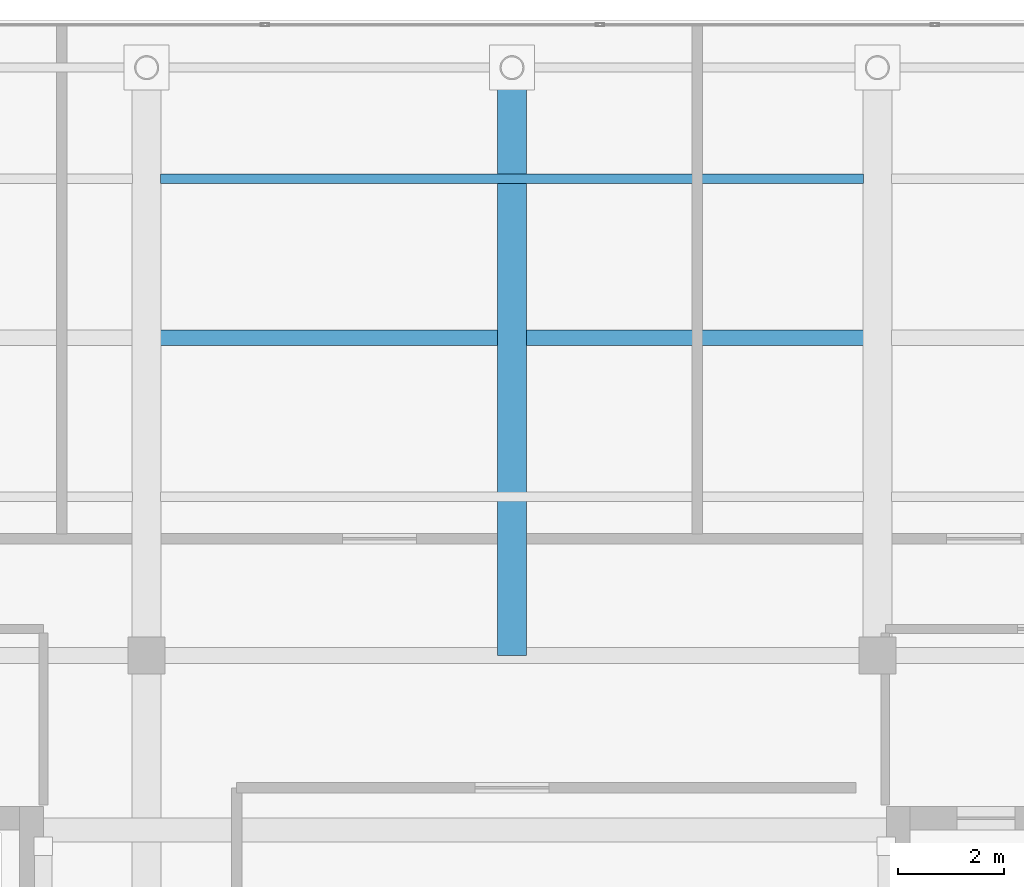
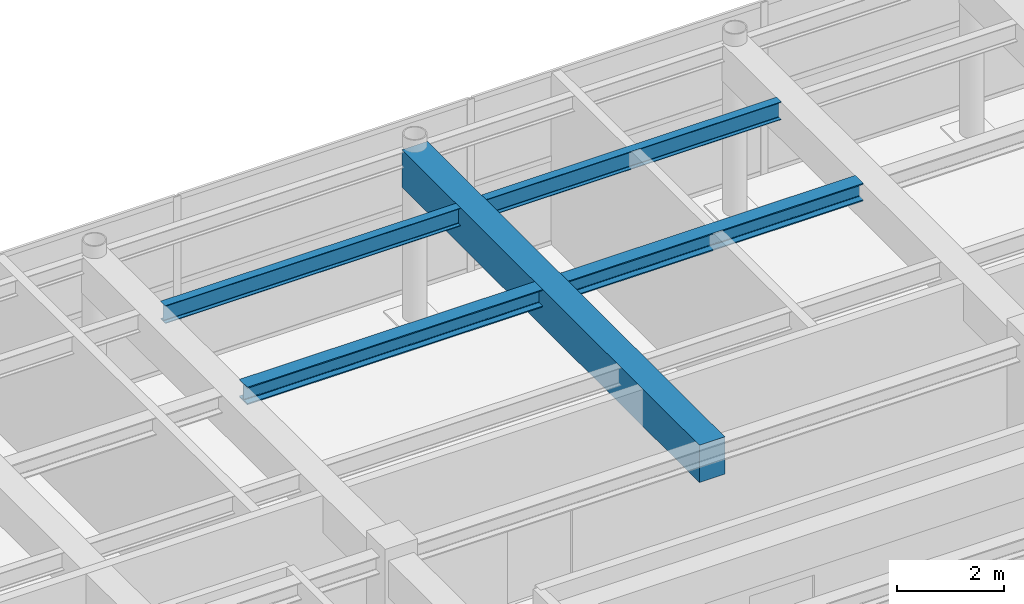
# One storey, part 23 of 32: 3 beams.
"""IFC4 building model written with IfcOpenShell, lengths in metres."""

import ifcopenshell
import ifcopenshell.guid

model = None  # the IFC model being written
_history = None  # IfcOwnerHistory: only IFC2X3 demands one
_inside = {}  # id of a spatial element -> (the spatial element, [elements in it])
_under = {}  # id of a project, library or spatial element -> (it, [spatial elements below it])
_declared = {}  # id of a project -> (the project, [libraries it declares])
_typed = {}  # id of a type object -> (the type object, [elements of that type])
_made_of = {}  # id of a material, layer set ... -> (it, [elements and type objects made of it])


def new_model(schema):
    """Start an empty IFC model of exactly this schema.

    Asked for "IFC4X3", IfcOpenShell would pick the latest addendum, in which some entities
    have other attributes; the version numbers below select the first issue.
    IFC2X3 requires an IfcOwnerHistory on every rooted entity: one is made here for all.
    """
    global model, _history
    if schema == "IFC4X3":
        model = ifcopenshell.file(schema_version=(4, 3, 0, 0))
    else:
        model = ifcopenshell.file(schema=schema)
    _inside.clear()
    _under.clear()
    _declared.clear()
    _typed.clear()
    _made_of.clear()
    _history = None
    if model.schema == "IFC2X3":
        org = make("IfcOrganization", Name="unknown")
        user = make(
            "IfcPersonAndOrganization",
            ThePerson=make("IfcPerson", FamilyName="unknown"),
            TheOrganization=org,
        )
        app = make(
            "IfcApplication",
            ApplicationDeveloper=org,
            Version="unknown",
            ApplicationFullName="unknown",
            ApplicationIdentifier="unknown",
        )
        _history = make(
            "IfcOwnerHistory",
            OwningUser=user,
            OwningApplication=app,
            ChangeAction="ADDED",
            CreationDate=0,
        )
    return model


def make(cls, **values):
    """One entity of the class cls with the attributes given. An attribute that is None is left unset."""
    return model.create_entity(
        cls, **{name: value for name, value in values.items() if value is not None}
    )


def rooted(cls, **values):
    """An entity with a GlobalId (a new one), such as an element, a storey or a relation."""
    return make(cls, GlobalId=ifcopenshell.guid.new(), OwnerHistory=_history, **values)


def si_unit(unit_type, name, prefix=None):
    """IfcSIUnit, for example si_unit("LENGTHUNIT", "METRE", prefix="MILLI")."""
    return make("IfcSIUnit", UnitType=unit_type, Prefix=prefix, Name=name)


def assignment(units):
    """IfcUnitAssignment: the units of a project."""
    return None if units is None else make("IfcUnitAssignment", Units=units)


def point(xyz):
    """IfcCartesianPoint."""
    return None if xyz is None else make("IfcCartesianPoint", Coordinates=xyz)


def direction(xyz):
    """IfcDirection."""
    return None if xyz is None else make("IfcDirection", DirectionRatios=xyz)


def frame(location, z_axis=None, x_axis=None):
    """IfcAxis2Placement3D, a coordinate frame: its origin and axes. An axis left out is left unset."""
    return make(
        "IfcAxis2Placement3D",
        Location=point(location),
        Axis=direction(z_axis),
        RefDirection=direction(x_axis),
    )


def frame_2d(location, x_axis=None):
    """IfcAxis2Placement2D, a coordinate frame in the plane: its origin and x axis."""
    return make(
        "IfcAxis2Placement2D", Location=point(location), RefDirection=direction(x_axis)
    )


def origin():
    """The frame at (0, 0, 0) with its axes left unset."""
    return frame((0.0, 0.0, 0.0))


def origin_2d():
    """The frame at (0, 0) in the plane with its x axis left unset."""
    return frame_2d((0.0, 0.0))


def place(relative_to, where):
    """IfcLocalPlacement: puts the frame where relative to a parent placement (None: the world)."""
    return make(
        "IfcLocalPlacement", PlacementRelTo=relative_to, RelativePlacement=where
    )


def context(
    kind, dimensions, precision=None, world=None, true_north=None, identifier=None
):
    """IfcGeometricRepresentationContext, for example the 3D "Model" context."""
    return make(
        "IfcGeometricRepresentationContext",
        ContextIdentifier=identifier,
        ContextType=kind,
        CoordinateSpaceDimension=dimensions,
        Precision=precision,
        WorldCoordinateSystem=world,
        TrueNorth=true_north,
    )


def subcontext(parent, identifier, kind, view, scale=None):
    """IfcGeometricRepresentationSubContext, for example "Body" below "Model"."""
    return make(
        "IfcGeometricRepresentationSubContext",
        ContextIdentifier=identifier,
        ContextType=kind,
        ParentContext=parent,
        TargetScale=scale,
        TargetView=view,
    )


def project(units=None, contexts=None):
    """IfcProject with its units and contexts."""
    return rooted(
        "IfcProject",
        Name="project",
        RepresentationContexts=contexts,
        UnitsInContext=assignment(units),
    )


def spatial(cls, under=None, at=None, **own):
    """A site, building, storey or space (cls), placed at a placement, below another one or the project."""
    s = rooted(cls, ObjectPlacement=at, **own)
    if under is not None:
        _under.setdefault(under.id(), (under, []))[1].append(s)
    return s


def profile(cls, at=None, kind="AREA", **sizes):
    """A parametric profile (cls). Its sizes go by their IFC names, for example OverallWidth=200.0."""
    return make(cls, ProfileType=kind, Position=at, **sizes)


def rectangle(**sizes):
    """IfcRectangleProfileDef."""
    return profile("IfcRectangleProfileDef", **sizes)


def i_section(**sizes):
    """IfcIShapeProfileDef."""
    return profile("IfcIShapeProfileDef", **sizes)


def extrude(swept, where, along, depth):
    """IfcExtrudedAreaSolid: the profile swept, set in the frame where, extruded along a direction by depth."""
    return make(
        "IfcExtrudedAreaSolid",
        SweptArea=swept,
        Position=where,
        ExtrudedDirection=direction(along),
        Depth=depth,
    )


def shape(context_of_items, identifier, shape_type, items):
    """IfcShapeRepresentation: the items that make up one representation, for example the "Body"."""
    return make(
        "IfcShapeRepresentation",
        ContextOfItems=context_of_items,
        RepresentationIdentifier=identifier,
        RepresentationType=shape_type,
        Items=items,
    )


def source(mapping_origin, context_of_items, identifier, shape_type, items):
    """IfcRepresentationMap: a shape defined once, which mapped items show again and again."""
    return make(
        "IfcRepresentationMap",
        MappingOrigin=mapping_origin,
        MappedRepresentation=shape(context_of_items, identifier, shape_type, items),
    )


def transform(
    local_origin,
    x_axis=None,
    y_axis=None,
    z_axis=None,
    scale=None,
    scale2=None,
    scale3=None,
    uniform=True,
):
    """IfcCartesianTransformationOperator3D, or its non-uniform kind. x_axis, y_axis, z_axis: its Axis1, 2, 3."""
    if uniform:
        return make(
            "IfcCartesianTransformationOperator3D",
            Axis1=direction(x_axis),
            Axis2=direction(y_axis),
            LocalOrigin=point(local_origin),
            Scale=scale,
            Axis3=direction(z_axis),
        )
    return make(
        "IfcCartesianTransformationOperator3DnonUniform",
        Axis1=direction(x_axis),
        Axis2=direction(y_axis),
        LocalOrigin=point(local_origin),
        Scale=scale,
        Axis3=direction(z_axis),
        Scale2=scale2,
        Scale3=scale3,
    )


def mapped(mapping_source, mapping_target):
    """IfcMappedItem: shows the shape of a source again, moved by a transform."""
    return make(
        "IfcMappedItem", MappingSource=mapping_source, MappingTarget=mapping_target
    )


def material(Name=None, Category=None):
    """IfcMaterial."""
    return make("IfcMaterial", Name=Name, Category=Category)


def material_profile(
    of_material, cross_section, Name=None, Category=None, Priority=None
):
    """IfcMaterialProfile: a cross section and its material."""
    return make(
        "IfcMaterialProfile",
        Name=Name,
        Material=of_material,
        Profile=cross_section,
        Priority=Priority,
        Category=Category,
    )


def profile_set(profiles, Name=None, composite=None):
    """IfcMaterialProfileSet."""
    return make(
        "IfcMaterialProfileSet",
        Name=Name,
        MaterialProfiles=profiles,
        CompositeProfile=composite,
    )


def made_of(thing, what):
    """Note that an element or type object is made of a material, layer set ...; save() writes the relation."""
    if what is not None:
        _made_of.setdefault(what.id(), (what, []))[1].append(thing)
    return thing


def type_object(cls, material=None, **own):
    """A type object (cls), such as IfcWallType, which elements share."""
    return made_of(rooted(cls, **own), material)


def element(
    cls,
    number,
    at=None,
    inside=None,
    cuts=None,
    type_object=None,
    material=None,
    context=None,
    identifier="Body",
    shape_type=None,
    held_by="IfcProductDefinitionShape",
    body=None,
    shapes=None,
    **own,
):
    """One element of the class cls, such as IfcWall. Its Tag is "e" and its number.

    at: its placement. inside: the storey or other place that contains it. cuts: it is an
    opening in that element (IfcRelVoidsElement). A single representation is given by context,
    identifier, shape_type and body (its items); several are given by shapes. held_by: the class
    of the entity that holds the representations. save() writes the other relations.
    """
    e = rooted(cls, Tag="e%d" % number, ObjectPlacement=at, **own)
    if body is not None:
        shapes = [shape(context, identifier, shape_type, body)]
    if shapes is not None:
        e.Representation = make(held_by, Representations=shapes)
    if inside is not None:
        _inside.setdefault(inside.id(), (inside, []))[1].append(e)
    if cuts is not None:
        rooted(
            "IfcRelVoidsElement", RelatingBuildingElement=cuts, RelatedOpeningElement=e
        )
    if type_object is not None:
        _typed.setdefault(type_object.id(), (type_object, []))[1].append(e)
    return made_of(e, material)


def aggregate(whole, parts):
    """IfcRelAggregates: a whole, such as a stair, and the parts it consists of."""
    return rooted("IfcRelAggregates", RelatingObject=whole, RelatedObjects=parts)


def save(model, path):
    """Write the relations noted so far, then the file.

    IfcRelAggregates (storeys below a building ...), IfcRelContainedInSpatialStructure (elements
    in a storey), IfcRelDefinesByType, IfcRelAssociatesMaterial and IfcRelDeclares: one each for
    every whole, place, type object, material and project.
    """
    for whole, parts in _under.values():
        aggregate(whole, parts)
    for where, things in _inside.values():
        rooted(
            "IfcRelContainedInSpatialStructure",
            RelatedElements=things,
            RelatingStructure=where,
        )
    for kind, things in _typed.values():
        rooted("IfcRelDefinesByType", RelatedObjects=things, RelatingType=kind)
    for what, things in _made_of.values():
        rooted("IfcRelAssociatesMaterial", RelatedObjects=things, RelatingMaterial=what)
    for by, libraries in _declared.values():
        rooted("IfcRelDeclares", RelatingContext=by, RelatedDefinitions=libraries)
    model.write(path)


model = new_model("IFC4")

# Units and contexts
model_context = context("Model", 3, precision=1e-05, world=origin(), true_north=direction((0.0, 1.0)))
body_context = subcontext(model_context, "Body", "Model", "MODEL_VIEW")
ifc_project = project(units=[si_unit("LENGTHUNIT", "METRE"), si_unit("AREAUNIT", "SQUARE_METRE"), si_unit("VOLUMEUNIT", "CUBIC_METRE"), si_unit("PLANEANGLEUNIT", "RADIAN"), si_unit("MASSUNIT", "GRAM", prefix="KILO")], contexts=[model_context])

# Site, building, storey
site_placement = place(None, origin())
site = spatial("IfcSite", under=ifc_project, at=site_placement, CompositionType="ELEMENT")
building_placement = place(site_placement, origin())
building = spatial("IfcBuilding", under=site, at=building_placement, Name="Khoralis Quay Care Tower", CompositionType="ELEMENT")
storey_placement = place(building_placement, frame((0.0, 0.0, 293.699951171875)))
storey = spatial("IfcBuildingStorey", under=building, at=storey_placement, Name="L77", CompositionType="ELEMENT", Elevation=293.699951171875)

# Beams
ifc_material_1 = material(Name="Concrete C50/60", Category="concrete")
ifc_material_profile_1 = material_profile(ifc_material_1, rectangle(XDim=0.550048828125, YDim=0.85009765625, at=origin_2d()), Name="Concrete C50/60")
ifc_profile_set_1 = profile_set([ifc_material_profile_1], Name="Concrete C50/60")
beam_type_1 = type_object("IfcBeamType", Name="BM-RC550X850", PredefinedType="BEAM", material=ifc_profile_set_1)
shared_shape_1 = source(origin(), body_context, "Body", "SweptSolid", [
    extrude(rectangle(XDim=0.550048828125, YDim=0.85009765625, at=origin_2d()), origin(), (0.0, 0.0, 1.0), 11.10009765625),
])
beam_1_placement = place(storey_placement, frame((24.0, 30.0, 3.4951171875), z_axis=(0.0, 1.0, 0.0), x_axis=(-1.0, 0.0, 0.0)))
element("IfcBeam", 1, at=beam_1_placement, inside=storey, type_object=beam_type_1, Name="BM-TGYN-L77-240", PredefinedType="BEAM", context=body_context, shape_type="MappedRepresentation", body=[
    mapped(shared_shape_1, transform((0.0, 0.0, 0.0), scale=1.0)),
])
ifc_material_2 = material(Name="Steel S355", Category="steel")
ifc_material_profile_2 = material_profile(ifc_material_2, i_section(OverallWidth=0.300048828125, OverallDepth=0.39990234375, WebThickness=0.013427734375, FlangeThickness=0.02392578125, FilletRadius=0.027099609375, at=origin_2d()), Name="Steel S355")
ifc_profile_set_2 = profile_set([ifc_material_profile_2], Name="Steel S355")
beam_type_2 = type_object("IfcBeamType", Name="BM-HEB400", PredefinedType="BEAM", material=ifc_profile_set_2)
shared_shape_2 = source(origin(), body_context, "Body", "SweptSolid", [
    extrude(i_section(OverallWidth=0.300048828125, OverallDepth=0.39990234375, WebThickness=0.013427734375, FlangeThickness=0.02392578125, FilletRadius=0.027099609375, at=origin_2d()), origin(), (0.0, 0.0, 1.0), 13.27392578125),
])
beam_2_placement = place(storey_placement, frame((17.363037109375, 36.0, 3.719970703125), z_axis=(1.0, 0.0, 0.0), x_axis=(0.0, 1.0, 0.0)))
element("IfcBeam", 2, at=beam_2_placement, inside=storey, type_object=beam_type_2, Name="BM-TGCC-L77-360", PredefinedType="BEAM", context=body_context, shape_type="MappedRepresentation", body=[
    mapped(shared_shape_2, transform((0.0, 0.0, 0.0), scale=1.0)),
])
ifc_material_profile_3 = material_profile(ifc_material_2, i_section(OverallWidth=0.177978515625, OverallDepth=0.406982421875, WebThickness=0.0078125, FlangeThickness=0.0126953125, FilletRadius=0.012939453125, at=origin_2d()), Name="Steel S355")
ifc_profile_set_3 = profile_set([ifc_material_profile_3], Name="Steel S355")
beam_type_3 = type_object("IfcBeamType", Name="BM-W410X60", PredefinedType="JOIST", material=ifc_profile_set_3)
shared_shape_3 = source(origin(), body_context, "Body", "SweptSolid", [
    extrude(i_section(OverallWidth=0.177978515625, OverallDepth=0.406982421875, WebThickness=0.0078125, FlangeThickness=0.0126953125, FilletRadius=0.012939453125, at=origin_2d()), origin(), (0.0, 0.0, 1.0), 13.27392578125),
])
beam_3_placement = place(storey_placement, frame((17.363037109375, 39.0, 3.716552734375), z_axis=(1.0, 0.0, 0.0), x_axis=(0.0, 1.0, 0.0)))
element("IfcBeam", 3, at=beam_3_placement, inside=storey, type_object=beam_type_3, Name="BM-TJS-L77-29", PredefinedType="JOIST", context=body_context, shape_type="MappedRepresentation", body=[
    mapped(shared_shape_3, transform((0.0, 0.0, 0.0), scale=1.0)),
])

save(model, "model.ifc")
